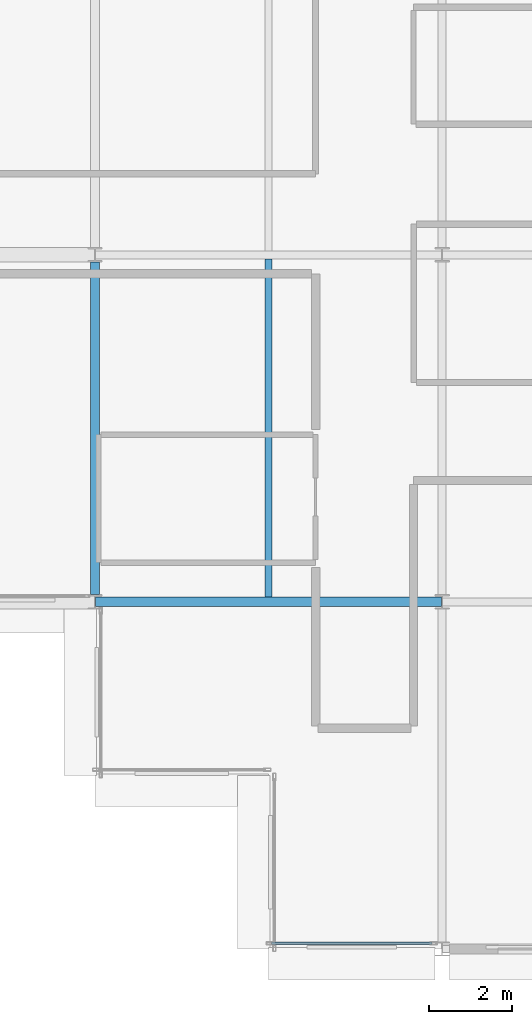
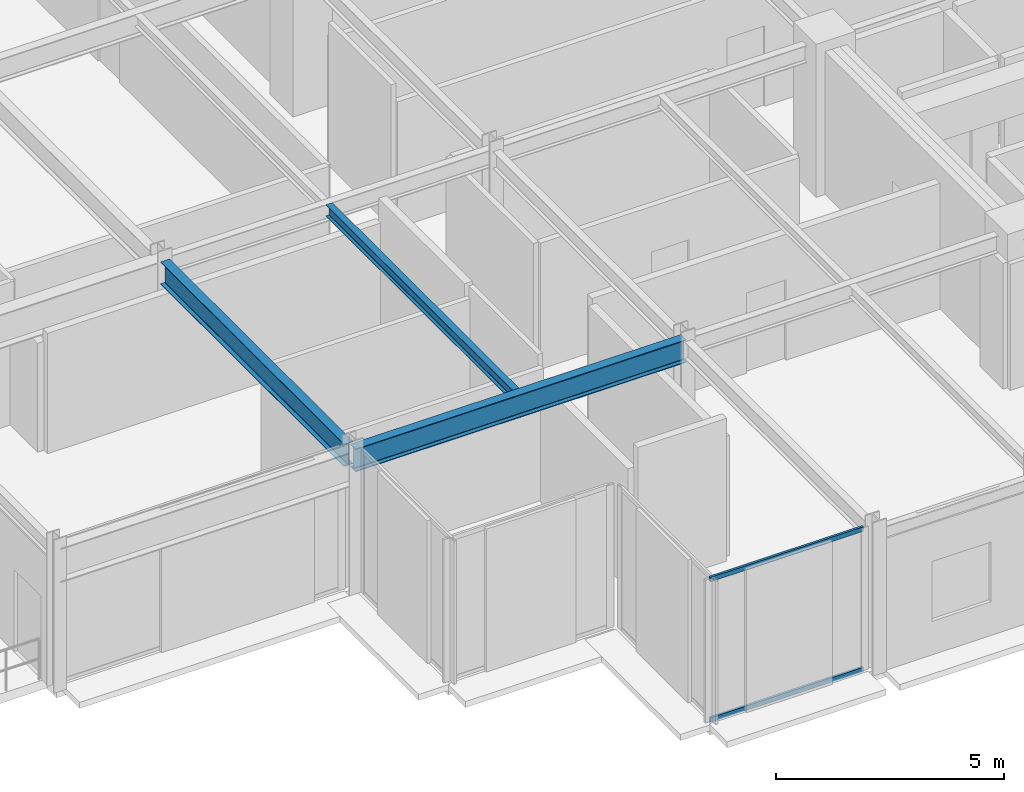
# One storey, part 5 of 29: 3 beams, 2 members, 1 element without a shape of its own.
"""IFC4 building model written with IfcOpenShell, lengths in metres."""

from ifc_helpers import new_model, si_unit, direction, frame, origin, origin_2d, place, context, subcontext, project, spatial, hollow_rectangle, i_section, extrude, material, layer, layer_set, material_profile, profile_set, type_object, element, aggregate, save


model = new_model("IFC4")

# Units and contexts
model_context = context("Model", 3, precision=1e-05, world=origin(), true_north=direction((0.0, 1.0)))
body_context = subcontext(model_context, "Body", "Model", "MODEL_VIEW")
ifc_project = project(units=[si_unit("LENGTHUNIT", "METRE"), si_unit("AREAUNIT", "SQUARE_METRE"), si_unit("VOLUMEUNIT", "CUBIC_METRE"), si_unit("PLANEANGLEUNIT", "RADIAN"), si_unit("MASSUNIT", "GRAM", prefix="KILO")], contexts=[model_context])

# Site, building, storey
site_placement = place(None, origin())
site = spatial("IfcSite", under=ifc_project, at=site_placement, CompositionType="ELEMENT")
building_placement = place(site_placement, origin())
building = spatial("IfcBuilding", under=site, at=building_placement, Name="Nerrivon Quay Data Exchange", CompositionType="ELEMENT")
storey_placement = place(building_placement, frame((0.0, 0.0, 204.199951171875)))
storey = spatial("IfcBuildingStorey", under=building, at=storey_placement, Name="L48", CompositionType="ELEMENT", Elevation=204.199951171875)

# Beams
ifc_material_1 = material(Name="Steel Grade 350", Category="steel")
ifc_material_profile_1 = material_profile(ifc_material_1, i_section(OverallWidth=0.22900390625, OverallDepth=0.612060546875, WebThickness=0.011962890625, FlangeThickness=0.01953125, FilletRadius=0.013916015625, at=origin_2d()), Name="610UB125")
ifc_profile_set_1 = profile_set([ifc_material_profile_1], Name="Steel Grade 350")
beam_type_1 = type_object("IfcBeamType", Name="BM-G1-610UB125", PredefinedType="BEAM", material=ifc_profile_set_1)
beam_1_placement = place(storey_placement, frame((0.010009765625, 8.39990234375, 3.51904296875), z_axis=(1.0, 0.0, 0.0), x_axis=(0.0, 1.0, 0.0)))
element("IfcBeam", 1, at=beam_1_placement, inside=storey, type_object=beam_type_1, Name="L48 EW Girder Y=8.4 (0.0..8.4)", PredefinedType="BEAM", context=body_context, shape_type="SweptSolid", body=[
    extrude(i_section(OverallWidth=0.22900390625, OverallDepth=0.612060546875, WebThickness=0.011962890625, FlangeThickness=0.01953125, FilletRadius=0.013916015625, at=origin_2d()), origin(), (0.0, 0.0, 1.0), 8.3798828125),
])
ifc_material_profile_2 = material_profile(ifc_material_1, i_section(OverallWidth=0.22802734375, OverallDepth=0.60205078125, WebThickness=0.010498046875, FlangeThickness=0.014892578125, FilletRadius=0.013916015625, at=origin_2d()), Name="610UB101")
ifc_profile_set_2 = profile_set([ifc_material_profile_2], Name="Steel Grade 350")
beam_type_2 = type_object("IfcBeamType", Name="BM-G2-610UB101", PredefinedType="BEAM", material=ifc_profile_set_2)
beam_2_placement = place(storey_placement, frame((0.0, 8.574951171875, 3.524169921875), z_axis=(0.0, 1.0, 0.0), x_axis=(-1.0, 0.0, 0.0)))
element("IfcBeam", 2, at=beam_2_placement, inside=storey, type_object=beam_type_2, Name="L48 NS Girder X=0.0 (8.4..16.8)", PredefinedType="BEAM", context=body_context, shape_type="SweptSolid", body=[
    extrude(i_section(OverallWidth=0.22802734375, OverallDepth=0.60205078125, WebThickness=0.010498046875, FlangeThickness=0.014892578125, FilletRadius=0.013916015625, at=origin_2d()), origin(), (0.0, 0.0, 1.0), 8.050048828125),
])
ifc_material_profile_3 = material_profile(ifc_material_1, i_section(OverallWidth=0.166015625, OverallDepth=0.306884765625, WebThickness=0.006591796875, FlangeThickness=0.01171875, FilletRadius=0.011474609375, at=origin_2d()), Name="310UB46.2")
ifc_profile_set_3 = profile_set([ifc_material_profile_3], Name="Steel Grade 350")
beam_type_3 = type_object("IfcBeamType", Name="BM-J5-310UB46", PredefinedType="JOIST", material=ifc_profile_set_3)
beam_3_placement = place(storey_placement, frame((4.199951171875, 8.514404296875, 3.671630859375), z_axis=(0.0, 1.0, 0.0), x_axis=(-1.0, 0.0, 0.0)))
element("IfcBeam", 3, at=beam_3_placement, inside=storey, type_object=beam_type_3, Name="L48 Secondary Joist X=4.2 (8.4..16.8)", PredefinedType="JOIST", context=body_context, shape_type="SweptSolid", body=[
    extrude(i_section(OverallWidth=0.166015625, OverallDepth=0.306884765625, WebThickness=0.006591796875, FlangeThickness=0.01171875, FilletRadius=0.011474609375, at=origin_2d()), origin(), (0.0, 0.0, 1.0), 8.190185546875),
])

# Curtain wall, members
ifc_material_2 = material(Name="Anodised aluminium 6063-T6", Category="aluminium")
ifc_layer = layer(ifc_material_2, 0.195068359375)
ifc_layer_set = layer_set([ifc_layer], Name="Anodised aluminium 6063-T6")
curtain_wall_type = type_object("IfcCurtainWallType", Name="CW-SYS-06", PredefinedType="NOTDEFINED", material=ifc_layer_set)
curtain_wall_placement = place(storey_placement, origin())
curtain_wall = element("IfcCurtainWall", 4, at=curtain_wall_placement, inside=storey, type_object=curtain_wall_type, Name="L48 Unitised Curtain Wall 28", PredefinedType="NOTDEFINED")
ifc_material_profile_4 = material_profile(ifc_material_2, hollow_rectangle(XDim=0.06005859375, YDim=0.1201171875, WallThickness=0.003173828125, at=origin_2d()), Name="ALU-TRAN-120x60")
ifc_profile_set_4 = profile_set([ifc_material_profile_4], Name="Anodised aluminium 6063-T6")
member_type = type_object("IfcMemberType", Name="CWT-120x60", PredefinedType="USERDEFINED", material=ifc_profile_set_4)
member_1_placement = place(storey_placement, frame((8.14990234375, 0.139892578125, 0.032470703125), z_axis=(-1.0, 0.0, 0.0), x_axis=(0.0, -1.0, 0.0)))
member_1 = element("IfcMember", 5, at=member_1_placement, type_object=member_type, Name="CW06 transom 1.1", ObjectType="TRANSOM", PredefinedType="USERDEFINED", context=body_context, shape_type="SweptSolid", body=[
    extrude(hollow_rectangle(XDim=0.06005859375, YDim=0.1201171875, WallThickness=0.003173828125, at=origin_2d()), origin(), (0.0, 0.0, 1.0), 3.875),
])
member_2_placement = place(storey_placement, frame((8.14990234375, 0.139892578125, 3.79248046875), z_axis=(-1.0, 0.0, 0.0), x_axis=(0.0, -1.0, 0.0)))
member_2 = element("IfcMember", 6, at=member_2_placement, type_object=member_type, Name="CW06 transom 1.2", ObjectType="TRANSOM", PredefinedType="USERDEFINED", context=body_context, shape_type="SweptSolid", body=[
    extrude(hollow_rectangle(XDim=0.06005859375, YDim=0.1201171875, WallThickness=0.003173828125, at=origin_2d()), origin(), (0.0, 0.0, 1.0), 3.875),
])
aggregate(curtain_wall, [member_1, member_2])

save(model, "model.ifc")
